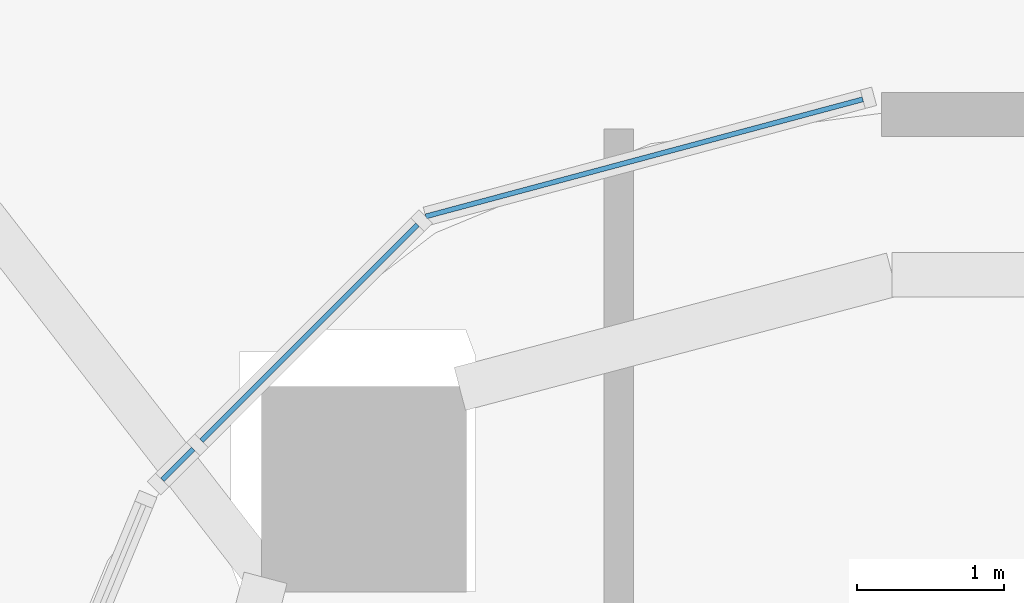
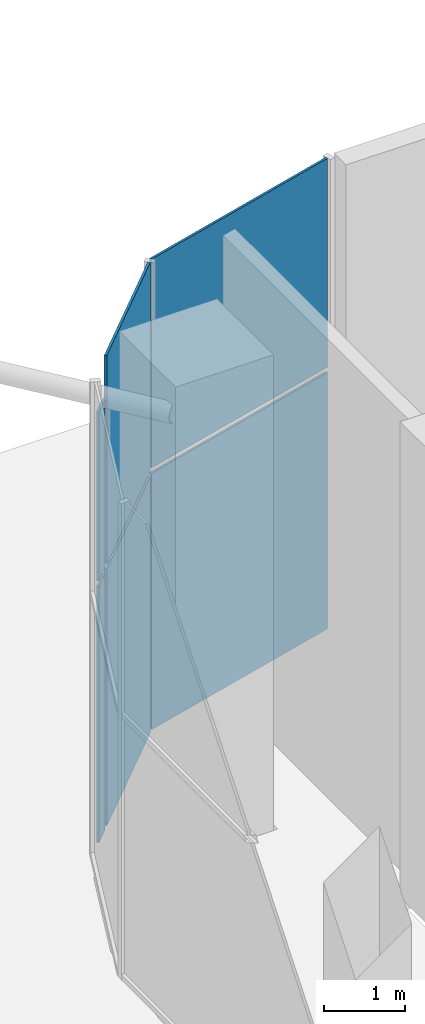
# One storey, part 17 of 25: 6 plates, 3 elements without a shape of their own.
"""IFC4 building model written with IfcOpenShell, lengths in metres."""

from ifc_helpers import new_model, si_unit, direction, frame, origin, origin_2d, place, context, subcontext, project, spatial, rectangle, extrude, material, layer, layer_set, type_object, element, aggregate, save


model = new_model("IFC4")

# Units and contexts
model_context = context("Model", 3, precision=1e-05, world=origin(), true_north=direction((0.0, 1.0)))
body_context = subcontext(model_context, "Body", "Model", "MODEL_VIEW")
ifc_project = project(units=[si_unit("LENGTHUNIT", "METRE"), si_unit("AREAUNIT", "SQUARE_METRE"), si_unit("VOLUMEUNIT", "CUBIC_METRE"), si_unit("PLANEANGLEUNIT", "RADIAN"), si_unit("MASSUNIT", "GRAM", prefix="KILO")], contexts=[model_context])

# Site, building, storey
site_placement = place(None, origin())
site = spatial("IfcSite", under=ifc_project, at=site_placement, CompositionType="ELEMENT")
building_placement = place(site_placement, origin())
building = spatial("IfcBuilding", under=site, at=building_placement, Name="Marenta Gate Hotel Tower", CompositionType="ELEMENT")
storey_placement = place(building_placement, frame((0.0, 0.0, 180.5)))
storey = spatial("IfcBuildingStorey", under=building, at=storey_placement, Name="L41", CompositionType="ELEMENT", Elevation=180.5)

# Curtain wall, plates
ifc_material_1 = material(Name="Tinted insulated glass in bronze anodised frame", Category="glass")
ifc_layer_1 = layer(ifc_material_1, 0.1298828125)
ifc_layer_set_1 = layer_set([ifc_layer_1], Name="Tinted insulated glass in bronze anodised frame")
curtain_wall_type = type_object("IfcCurtainWallType", Name="Sky lobby glazing CW2", PredefinedType="NOTDEFINED", material=ifc_layer_set_1)
curtain_wall_1_placement = place(storey_placement, origin())
curtain_wall_1 = element("IfcCurtainWall", 1, at=curtain_wall_1_placement, inside=storey, type_object=curtain_wall_type, Name="CW2 run G00", PredefinedType="NOTDEFINED")
ifc_material_2 = material(Name="Tinted insulated glass", Category="glass")
ifc_layer_2 = layer(ifc_material_2, 0.033935546875)
ifc_layer_set_2 = layer_set([ifc_layer_2], Name="Tinted insulated glass")
plate_type = type_object("IfcPlateType", Name="Glass panel CW2 34 mm tinted insulated unit", PredefinedType="CURTAIN_PANEL", material=ifc_layer_set_2)
plate_1_placement = place(storey_placement, frame((-20.8251953125, 22.19580078125, 0.080078125), z_axis=(0.0, 0.0, 1.0), x_axis=(-0.965934374525, -0.258787140543, 0.0)))
plate_1 = element("IfcPlate", 2, at=plate_1_placement, type_object=plate_type, Name="CW2 panel 1.1", PredefinedType="CURTAIN_PANEL", context=body_context, shape_type="SweptSolid", body=[
    extrude(rectangle(XDim=3.08544921875, YDim=0.033935546875, at=origin_2d()), origin(), (0.0, 0.0, 1.0), 3.8798828125),
])
plate_2_placement = place(storey_placement, frame((-20.8251953125, 22.19580078125, 4.0400390625), z_axis=(0.0, 0.0, 1.0), x_axis=(-0.965934374525, -0.258787140543, 0.0)))
plate_2 = element("IfcPlate", 3, at=plate_2_placement, type_object=plate_type, Name="CW2 panel 1.2", PredefinedType="CURTAIN_PANEL", context=body_context, shape_type="SweptSolid", body=[
    extrude(rectangle(XDim=3.08544921875, YDim=0.033935546875, at=origin_2d()), origin(), (0.0, 0.0, 1.0), 3.159912109375),
])
aggregate(curtain_wall_1, [plate_1, plate_2])

curtain_wall_2_placement = place(storey_placement, origin())
curtain_wall_2 = element("IfcCurtainWall", 4, at=curtain_wall_2_placement, inside=storey, type_object=curtain_wall_type, Name="CW2 run G01", PredefinedType="NOTDEFINED")
plate_3_placement = place(storey_placement, frame((-23.108642578125, 21.00341796875, 0.080078125), z_axis=(0.0, 0.0, 1.0), x_axis=(-0.707106781187, -0.707106781187, 0.0)))
plate_3 = element("IfcPlate", 5, at=plate_3_placement, type_object=plate_type, Name="CW2 panel 1.1", PredefinedType="CURTAIN_PANEL", context=body_context, shape_type="SweptSolid", body=[
    extrude(rectangle(XDim=2.083251953125, YDim=0.033935546875, at=origin_2d()), origin(), (0.0, 0.0, 1.0), 3.8798828125),
])
plate_4_placement = place(storey_placement, frame((-23.108642578125, 21.00341796875, 4.0400390625), z_axis=(0.0, 0.0, 1.0), x_axis=(-0.707106781187, -0.707106781187, 0.0)))
plate_4 = element("IfcPlate", 6, at=plate_4_placement, type_object=plate_type, Name="CW2 panel 1.2", PredefinedType="CURTAIN_PANEL", context=body_context, shape_type="SweptSolid", body=[
    extrude(rectangle(XDim=2.083251953125, YDim=0.033935546875, at=origin_2d()), origin(), (0.0, 0.0, 1.0), 3.159912109375),
])
aggregate(curtain_wall_2, [plate_3, plate_4])

curtain_wall_3_placement = place(storey_placement, origin())
curtain_wall_3 = element("IfcCurtainWall", 7, at=curtain_wall_3_placement, inside=storey, type_object=curtain_wall_type, Name="CW2 run G02", PredefinedType="NOTDEFINED")
plate_5_placement = place(storey_placement, frame((-24.006591796875, 20.10546875, 0.080078125), z_axis=(0.0, 0.0, 1.0), x_axis=(-0.707106781187, -0.707106781187, 0.0)))
plate_5 = element("IfcPlate", 8, at=plate_5_placement, type_object=plate_type, Name="CW2 panel 1.1", PredefinedType="CURTAIN_PANEL", context=body_context, shape_type="SweptSolid", body=[
    extrude(rectangle(XDim=0.296630859375, YDim=0.033935546875, at=origin_2d()), origin(), (0.0, 0.0, 1.0), 3.8798828125),
])
plate_6_placement = place(storey_placement, frame((-24.006591796875, 20.10546875, 4.0400390625), z_axis=(0.0, 0.0, 1.0), x_axis=(-0.707106781187, -0.707106781187, 0.0)))
plate_6 = element("IfcPlate", 9, at=plate_6_placement, type_object=plate_type, Name="CW2 panel 1.2", PredefinedType="CURTAIN_PANEL", context=body_context, shape_type="SweptSolid", body=[
    extrude(rectangle(XDim=0.296630859375, YDim=0.033935546875, at=origin_2d()), origin(), (0.0, 0.0, 1.0), 2.560546875),
])
aggregate(curtain_wall_3, [plate_5, plate_6])

save(model, "model.ifc")
